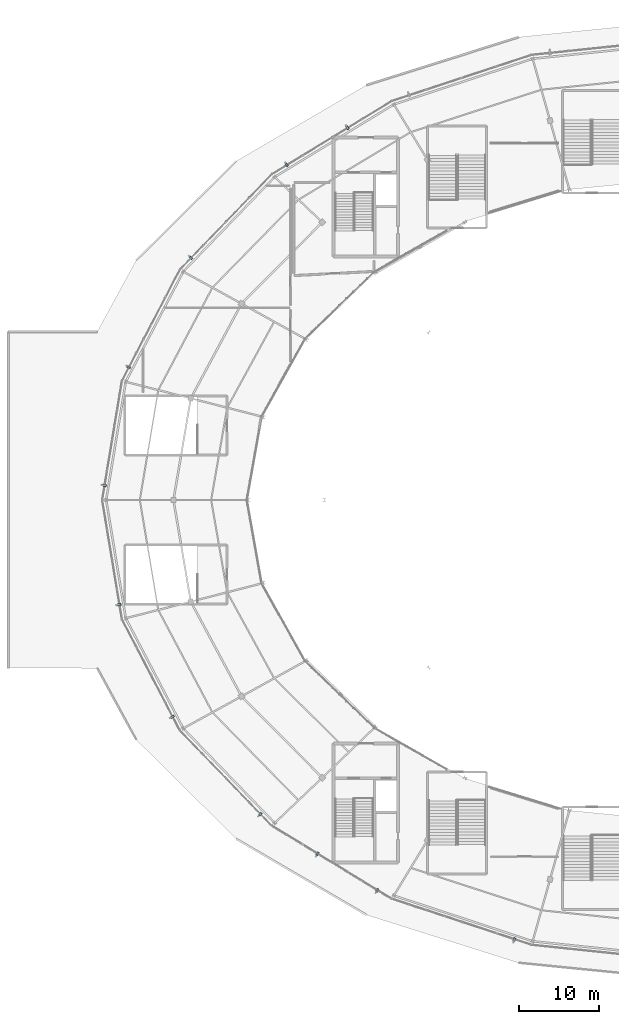
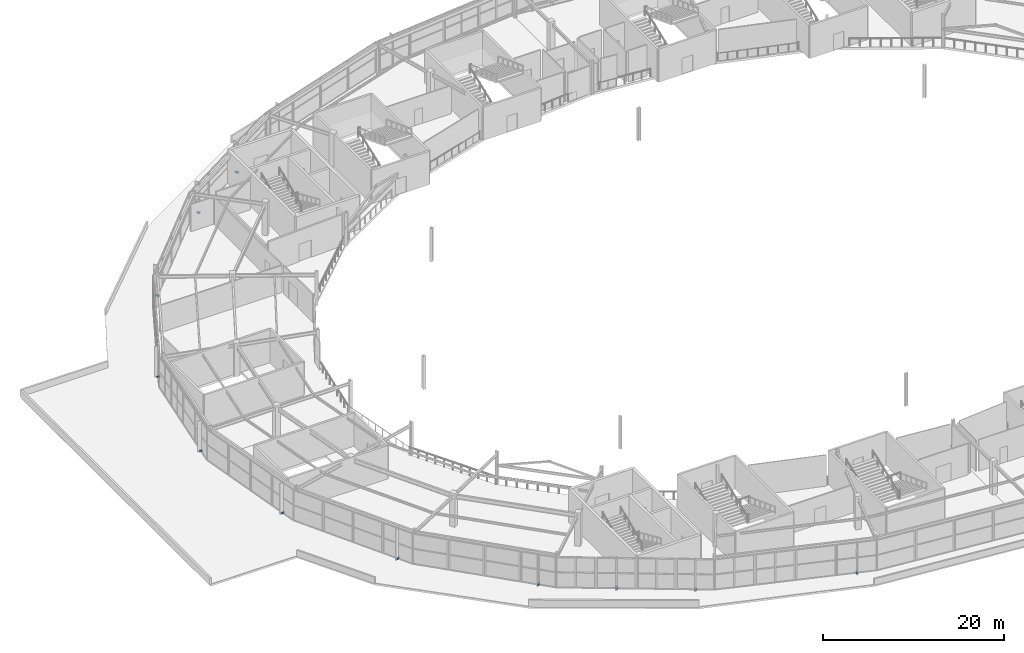
# One storey, part 113 of 126: 11 discrete accessories.
"""IFC4 building model written with IfcOpenShell, lengths in metres."""

from ifc_helpers import new_model, si_unit, direction, frame, origin, origin_2d, place, context, subcontext, project, spatial, rectangle, extrude, material, type_object, element, save


model = new_model("IFC4")

# Units and contexts
model_context = context("Model", 3, precision=1e-05, world=origin(), true_north=direction((0.0, 1.0)))
body_context = subcontext(model_context, "Body", "Model", "MODEL_VIEW")
ifc_project = project(units=[si_unit("LENGTHUNIT", "METRE"), si_unit("AREAUNIT", "SQUARE_METRE"), si_unit("VOLUMEUNIT", "CUBIC_METRE"), si_unit("PLANEANGLEUNIT", "RADIAN"), si_unit("MASSUNIT", "GRAM", prefix="KILO")], contexts=[model_context])

# Site, building, storey
site_placement = place(None, origin())
site = spatial("IfcSite", under=ifc_project, at=site_placement, CompositionType="ELEMENT")
building_placement = place(site_placement, origin())
building = spatial("IfcBuilding", under=site, at=building_placement, Name="Kalgoora Escarpment Arena", CompositionType="ELEMENT")
storey_placement = place(building_placement, frame((0.0, 0.0, 18.89990234375)))
storey = spatial("IfcBuildingStorey", under=building, at=storey_placement, Name="L04", CompositionType="ELEMENT", Elevation=18.89990234375)

# Discrete accessories
ifc_material = material(Name="Structural steel Grade 350 (350 MPa)", Category="steel")
discrete_accessory_type = type_object("IfcDiscreteAccessoryType", Name="ACC-BRACKET-FIN", PredefinedType="BRACKET", material=ifc_material)
for number, where, z_axis, x_axis, name in (
    (1, (71.527587890625, 9.150146484375, 0.0), (0.0, 0.0, 1.0), (-0.312998047948, -0.949753769132, 0.0), "L04 solar fin support bracket 21"),
    (2, (54.427001953125, 15.29296875, 0.0), (0.0, 0.0, 1.0), (-0.521009631841, -0.853550797275, 0.0), "L04 solar fin support bracket 22"),
    (3, (46.96435546875, 19.8486328125, 0.0), (0.0, 0.0, 1.0), (-0.521009631841, -0.853550797275, 0.0), "L04 solar fin support bracket 23"),
    (4, (39.84228515625, 24.79931640625, 0.0), (0.0, 0.0, 1.0), (-0.71982458803, -0.694156007298, 0.0), "L04 solar fin support bracket 24"),
    (5, (28.878173828125, 36.951416015625, 0.0), (0.0, 0.0, 1.0), (-0.887010833178, -0.461748613235, 0.0), "L04 solar fin support bracket 25"),
    (6, (22.24169921875, 50.94384765625, 0.0), (0.0, 0.0, 1.0), (-0.986572161607, -0.163325962242, 0.0), "L04 solar fin support bracket 26"),
    (7, (20.38330078125, 65.82568359375, 0.0), (0.0, 0.0, 1.0), (-0.986572161607, 0.163325962242, 0.0), "L04 solar fin support bracket 27"),
    (8, (23.430419921875, 80.58544921875, 0.0), (0.0, 0.0, 1.0), (-0.887010833178, 0.461748613235, 0.0), "L04 solar fin support bracket 28"),
    (9, (31.17822265625, 94.2177734375, 0.0), (0.0, 0.0, 1.0), (-0.71982458803, 0.694156007298, 0.0), "L04 solar fin support bracket 29"),
    (10, (43.12451171875, 105.80712890625, 0.0), (0.0, 0.0, 1.0), (-0.521009631841, 0.853550797275, 0.0), "L04 solar fin support bracket 30"),
    (11, (50.712646484375, 110.439453125, 0.0), (0.0, 0.0, 1.0), (-0.521009631841, 0.853550797275, 0.0), "L04 solar fin support bracket 31"),
):
    element("IfcDiscreteAccessory", number, at=place(storey_placement, frame(where, z_axis=z_axis, x_axis=x_axis)), inside=storey, type_object=discrete_accessory_type, Name=name, PredefinedType="BRACKET", context=body_context, shape_type="SweptSolid", body=[
        extrude(rectangle(XDim=0.419921875, YDim=0.219970703125, at=origin_2d()), origin(), (0.0, 0.0, 1.0), 0.199951171875),
    ])

save(model, "model.ifc")
